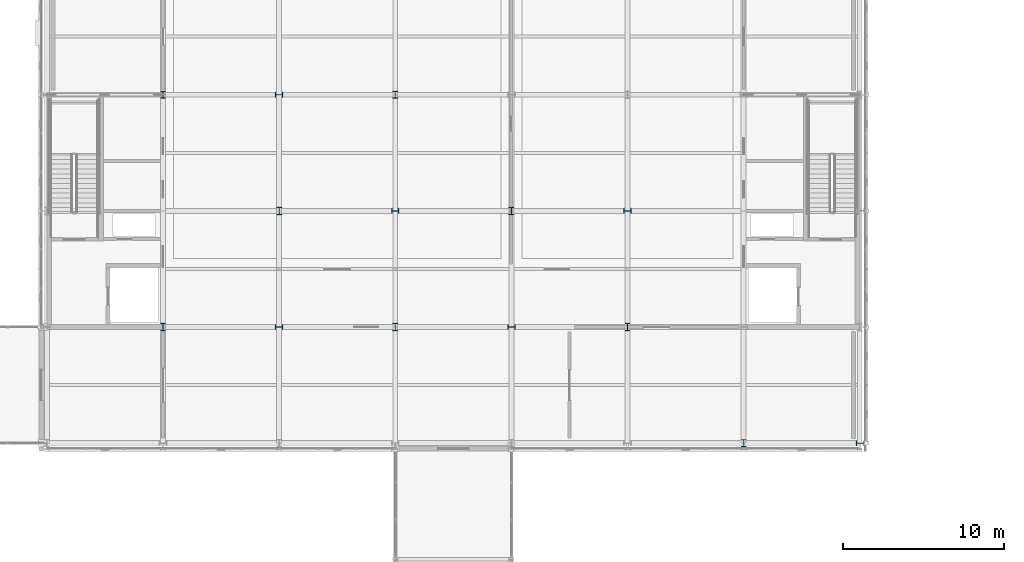
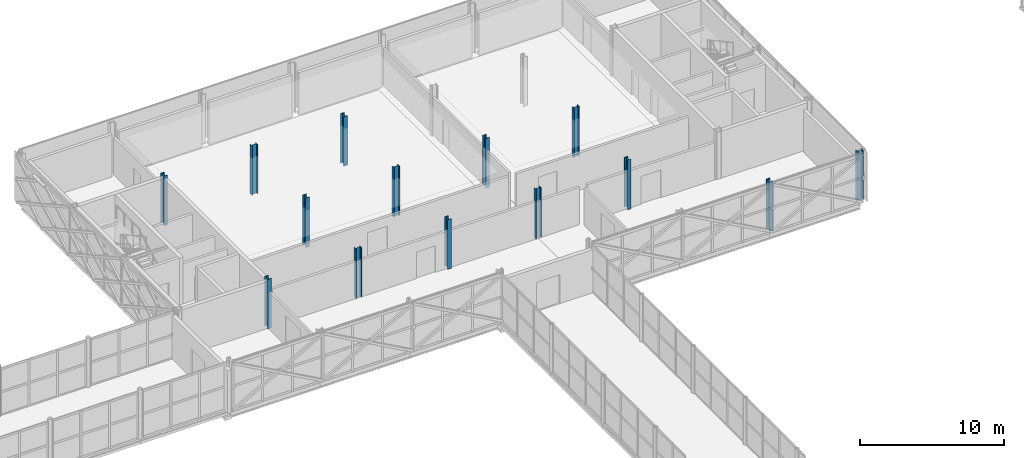
# One storey, part 17 of 146: 14 columns.
"""IFC4 building model written with IfcOpenShell, lengths in metres."""

from ifc_helpers import new_model, si_unit, direction, frame, origin, origin_2d, place, context, subcontext, project, spatial, i_section, extrude, material, material_profile, profile_set, type_object, element, save


model = new_model("IFC4")

# Units and contexts
model_context = context("Model", 3, precision=1e-05, world=origin(), true_north=direction((0.0, 1.0)))
body_context = subcontext(model_context, "Body", "Model", "MODEL_VIEW")
ifc_project = project(units=[si_unit("LENGTHUNIT", "METRE"), si_unit("AREAUNIT", "SQUARE_METRE"), si_unit("VOLUMEUNIT", "CUBIC_METRE"), si_unit("PLANEANGLEUNIT", "RADIAN"), si_unit("MASSUNIT", "GRAM", prefix="KILO")], contexts=[model_context])

# Site, building, storey
site_placement = place(None, origin())
site = spatial("IfcSite", under=ifc_project, at=site_placement, CompositionType="ELEMENT")
building_placement = place(site_placement, origin())
building = spatial("IfcBuilding", under=site, at=building_placement, Name="Zlatovets Crest Museum", CompositionType="ELEMENT")
storey_placement = place(building_placement, frame((0.0, 0.0, 4.5)))
storey = spatial("IfcBuildingStorey", under=building, at=storey_placement, Name="L01", CompositionType="ELEMENT", Elevation=4.5)

# Columns
ifc_material = material(Name="Structural steel S355J2", Category="steel")
ifc_material_profile = material_profile(ifc_material, i_section(OverallWidth=0.300048828125, OverallDepth=0.449951171875, WebThickness=0.013916015625, FlangeThickness=0.02587890625, FilletRadius=0.027099609375, at=origin_2d()), Name="HEB 450")
ifc_profile_set = profile_set([ifc_material_profile], Name="Structural steel S355J2")
column_type = type_object("IfcColumnType", Name="Col_C-06", PredefinedType="COLUMN", material=ifc_profile_set)
for number, where, z_axis, x_axis, name in (
    (1, (64.800048828125, 93.60009765625, 0.0), (0.0, 0.0, 1.0), (1.0, 0.0, 0.0), "V1 L01 Column (64.8, 93.6)"),
    (2, (64.800048828125, 108.0, 0.0), (0.0, 0.0, 1.0), (1.0, 0.0, 0.0), "V1 L01 Column (64.8, 108.0)"),
    (3, (72.0, 93.60009765625, 0.0), (0.0, 0.0, 1.0), (0.0, 1.0, 0.0), "V1 L01 Column (72.0, 93.6)"),
    (4, (72.0, 100.800048828125, 0.0), (0.0, 0.0, 1.0), (1.0, 0.0, 0.0), "V1 L01 Column (72.0, 100.8)"),
    (5, (72.0, 108.0, 0.0), (0.0, 0.0, 1.0), (0.0, 1.0, 0.0), "V1 L01 Column (72.0, 108.0)"),
    (6, (79.199951171875, 93.60009765625, 0.0), (0.0, 0.0, 1.0), (1.0, 0.0, 0.0), "V1 L01 Column (79.2, 93.6)"),
    (7, (79.199951171875, 100.800048828125, 0.0), (0.0, 0.0, 1.0), (0.0, 1.0, 0.0), "V1 L01 Column (79.2, 100.8)"),
    (8, (79.199951171875, 108.0, 0.0), (0.0, 0.0, 1.0), (1.0, 0.0, 0.0), "V1 L01 Column (79.2, 108.0)"),
    (9, (86.39990234375, 93.60009765625, 0.0), (0.0, 0.0, 1.0), (0.0, 1.0, 0.0), "V1 L01 Column (86.4, 93.6)"),
    (10, (86.39990234375, 100.800048828125, 0.0), (0.0, 0.0, 1.0), (1.0, 0.0, 0.0), "V1 L01 Column (86.4, 100.8)"),
    (11, (93.60009765625, 93.60009765625, 0.0), (0.0, 0.0, 1.0), (1.0, 0.0, 0.0), "V1 L01 Column (93.6, 93.6)"),
    (12, (93.60009765625, 100.800048828125, 0.0), (0.0, 0.0, 1.0), (0.0, 1.0, 0.0), "V1 L01 Column (93.6, 100.8)"),
    (13, (100.800048828125, 86.39990234375, 0.0), (0.0, 0.0, 1.0), (1.0, 0.0, 0.0), "V1 L01 Column (100.8, 86.4)"),
    (14, (108.0, 86.39990234375, 0.0), (0.0, 0.0, 1.0), (0.0, 1.0, 0.0), "V1 L01 Column (108.0, 86.4)"),
):
    element("IfcColumn", number, at=place(storey_placement, frame(where, z_axis=z_axis, x_axis=x_axis)), inside=storey, type_object=column_type, Name=name, PredefinedType="COLUMN", context=body_context, shape_type="SweptSolid", body=[
        extrude(i_section(OverallWidth=0.300048828125, OverallDepth=0.449951171875, WebThickness=0.013916015625, FlangeThickness=0.02587890625, FilletRadius=0.027099609375, at=origin_2d()), origin(), (0.0, 0.0, 1.0), 4.199951171875),
    ])

save(model, "model.ifc")
